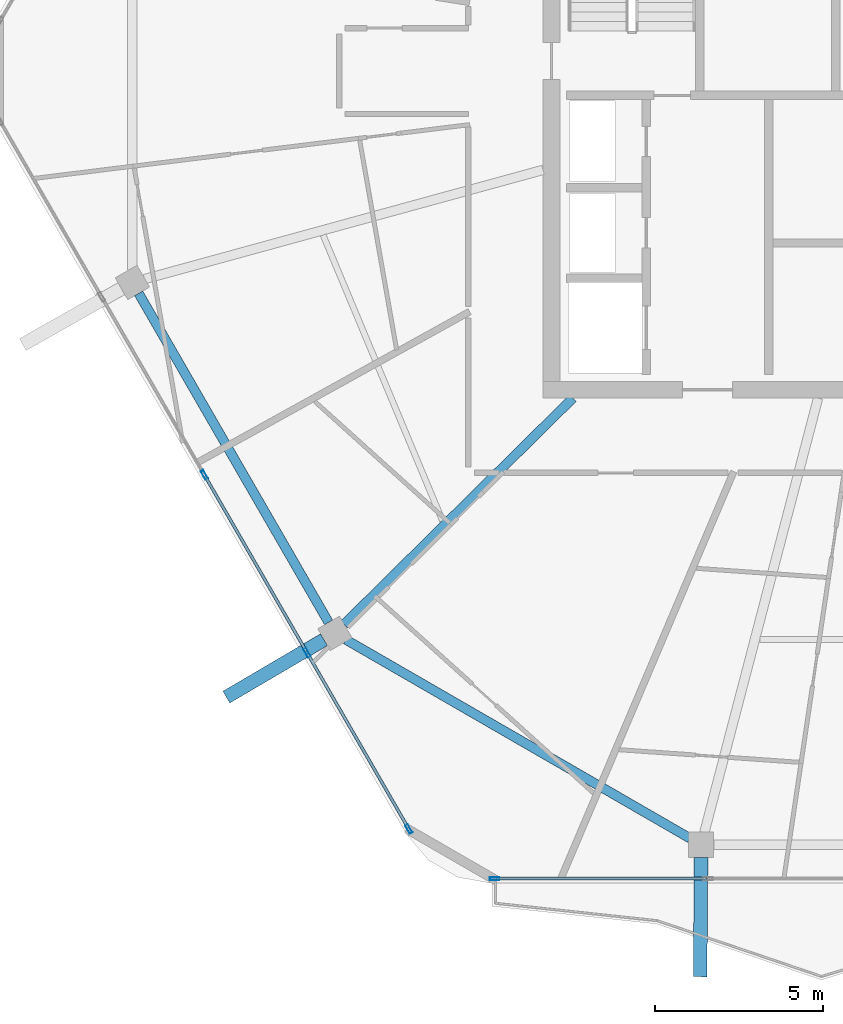
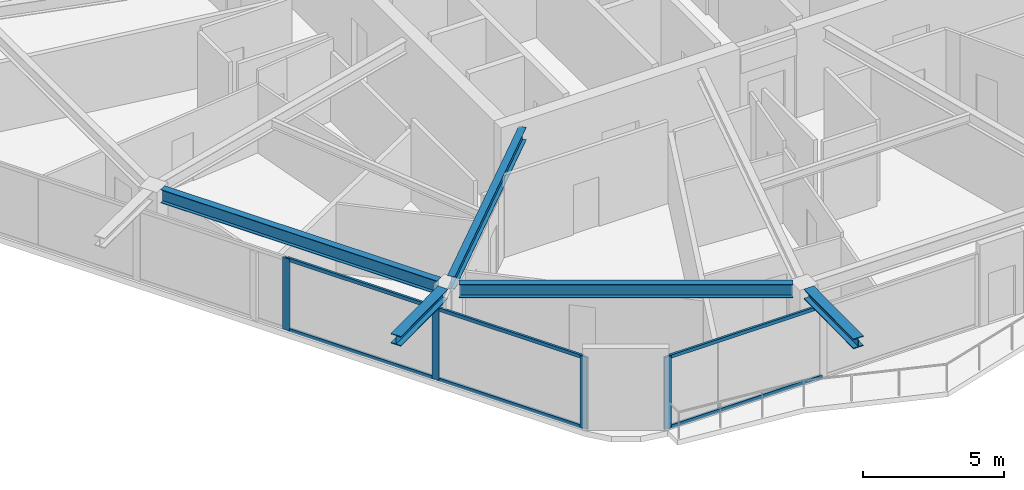
# One storey, part 2 of 21: 10 members, 5 beams, 2 elements without a shape of their own.
"""IFC4 building model written with IfcOpenShell, lengths in metres."""

from ifc_helpers import new_model, si_unit, direction, frame, origin, origin_2d, place, context, subcontext, project, spatial, hollow_rectangle, i_section, extrude, material, material_profile, profile_set, type_object, element, aggregate, save


model = new_model("IFC4")

# Units and contexts
model_context = context("Model", 3, precision=1e-05, world=origin(), true_north=direction((0.0, 1.0)))
body_context = subcontext(model_context, "Body", "Model", "MODEL_VIEW")
ifc_project = project(units=[si_unit("LENGTHUNIT", "METRE"), si_unit("AREAUNIT", "SQUARE_METRE"), si_unit("VOLUMEUNIT", "CUBIC_METRE"), si_unit("PLANEANGLEUNIT", "RADIAN"), si_unit("MASSUNIT", "GRAM", prefix="KILO")], contexts=[model_context])

# Site, building, storey
site_placement = place(None, origin())
site = spatial("IfcSite", under=ifc_project, at=site_placement, CompositionType="ELEMENT")
building_placement = place(site_placement, origin())
building = spatial("IfcBuilding", under=site, at=building_placement, Name="Zuhravey Tower", CompositionType="ELEMENT")
storey_placement = place(building_placement, frame((0.0, 0.0, 334.800048828125)))
storey = spatial("IfcBuildingStorey", under=building, at=storey_placement, Name="L85", CompositionType="ELEMENT", Elevation=334.800048828125)

# Curtain wall, member
ifc_material_1 = material(Name="Thermally broken anodised aluminium", Category="aluminium")
curtain_wall_type = type_object("IfcCurtainWallType", Name="Zone 3-4 High-Rise Curtain Wall CW4", PredefinedType="NOTDEFINED", material=ifc_material_1)
curtain_wall_1_placement = place(storey_placement, origin())
curtain_wall_1 = element("IfcCurtainWall", 1, at=curtain_wall_1_placement, inside=storey, type_object=curtain_wall_type, Name="L85 CW4 CW-L85-F5-2", PredefinedType="NOTDEFINED")
ifc_material_2 = material(Name="Anodised aluminium", Category="aluminium")
ifc_material_profile_1 = material_profile(ifc_material_2, hollow_rectangle(XDim=0.090087890625, YDim=0.284912109375, WallThickness=0.0048828125, at=origin_2d()), Name="ALU-RHS-90x285x5")
ifc_profile_set_1 = profile_set([ifc_material_profile_1], Name="Anodised aluminium")
member_type_1 = type_object("IfcMemberType", Name="Curtain-Wall Mullion 90x180", PredefinedType="MULLION", material=ifc_profile_set_1)
member_1_placement = place(storey_placement, frame((23.8056640625, 7.92578125, 0.0), z_axis=(0.0, 0.0, 1.0), x_axis=(0.0, -1.0, 0.0)))
member_1 = element("IfcMember", 2, at=member_1_placement, type_object=member_type_1, Name="CW4 mullion 3", PredefinedType="MULLION", context=body_context, shape_type="SweptSolid", body=[
    extrude(hollow_rectangle(XDim=0.090087890625, YDim=0.284912109375, WallThickness=0.0048828125, at=origin_2d()), origin(), (0.0, 0.0, 1.0), 3.1220703125),
])

# Curtain wall, members
curtain_wall_2_placement = place(storey_placement, origin())
curtain_wall_2 = element("IfcCurtainWall", 3, at=curtain_wall_2_placement, inside=storey, type_object=curtain_wall_type, Name="L85 CW4 CW-L85-F4-1", PredefinedType="NOTDEFINED")
member_2_placement = place(storey_placement, frame((21.248291015625, 9.40234375, 0.0), z_axis=(0.0, 0.0, 1.0), x_axis=(-0.866025511541, -0.49999981336, 0.0)))
member_2 = element("IfcMember", 4, at=member_2_placement, type_object=member_type_1, Name="CW4 mullion 1", PredefinedType="MULLION", context=body_context, shape_type="SweptSolid", body=[
    extrude(hollow_rectangle(XDim=0.090087890625, YDim=0.284912109375, WallThickness=0.0048828125, at=origin_2d()), origin(), (0.0, 0.0, 1.0), 3.1220703125),
])
member_3_placement = place(storey_placement, frame((18.211181640625, 14.6630859375, 0.0), z_axis=(0.0, 0.0, 1.0), x_axis=(-0.866025511541, -0.49999981336, 0.0)))
member_3 = element("IfcMember", 5, at=member_3_placement, type_object=member_type_1, Name="CW4 mullion 2", PredefinedType="MULLION", context=body_context, shape_type="SweptSolid", body=[
    extrude(hollow_rectangle(XDim=0.090087890625, YDim=0.284912109375, WallThickness=0.0048828125, at=origin_2d()), origin(), (0.0, 0.0, 1.0), 3.1220703125),
])
member_4_placement = place(storey_placement, frame((15.1513671875, 19.962890625, 0.0), z_axis=(0.0, 0.0, 1.0), x_axis=(-0.866025511541, -0.49999981336, 0.0)))
member_4 = element("IfcMember", 6, at=member_4_placement, type_object=member_type_1, Name="CW4 mullion 3", PredefinedType="MULLION", context=body_context, shape_type="SweptSolid", body=[
    extrude(hollow_rectangle(XDim=0.090087890625, YDim=0.284912109375, WallThickness=0.0048828125, at=origin_2d()), origin(), (0.0, 0.0, 1.0), 3.1220703125),
])

# Member
ifc_material_profile_2 = material_profile(ifc_material_2, hollow_rectangle(XDim=0.090087890625, YDim=0.14990234375, WallThickness=0.0048828125, at=origin_2d()), Name="ALU-RHS-90x150x5")
ifc_profile_set_2 = profile_set([ifc_material_profile_2], Name="Anodised aluminium")
member_type_2 = type_object("IfcMemberType", Name="Curtain-Wall Transom 90x150", PredefinedType="USERDEFINED", material=ifc_profile_set_2)
member_5_placement = place(storey_placement, frame((30.116455078125, 7.92578125, 0.044921875), z_axis=(-1.0, 0.0, 0.0), x_axis=(0.0, -1.0, 0.0)))
member_5 = element("IfcMember", 7, at=member_5_placement, type_object=member_type_2, Name="CW4 transom 2.1", ObjectType="TRANSOM", PredefinedType="USERDEFINED", context=body_context, shape_type="SweptSolid", body=[
    extrude(hollow_rectangle(XDim=0.090087890625, YDim=0.14990234375, WallThickness=0.0048828125, at=origin_2d()), origin(), (0.0, 0.0, 1.0), 6.265869140625),
])

member_6_placement = place(storey_placement, frame((30.116455078125, 7.92578125, 3.076904296875), z_axis=(-1.0, 0.0, 0.0), x_axis=(0.0, -1.0, 0.0)))
member_6 = element("IfcMember", 8, at=member_6_placement, type_object=member_type_2, Name="CW4 transom 2.2", ObjectType="TRANSOM", PredefinedType="USERDEFINED", context=body_context, shape_type="SweptSolid", body=[
    extrude(hollow_rectangle(XDim=0.090087890625, YDim=0.14990234375, WallThickness=0.0048828125, at=origin_2d()), origin(), (0.0, 0.0, 1.0), 6.265869140625),
])

aggregate(curtain_wall_1, [member_1, member_5, member_6])

member_7_placement = place(storey_placement, frame((21.225830078125, 9.44140625, 0.044921875), z_axis=(-0.499982594807, 0.866035452444, 0.0), x_axis=(-0.866035452444, -0.499982594807, 0.0)))
member_7 = element("IfcMember", 9, at=member_7_placement, type_object=member_type_2, Name="CW4 transom 1.1", ObjectType="TRANSOM", PredefinedType="USERDEFINED", context=body_context, shape_type="SweptSolid", body=[
    extrude(hollow_rectangle(XDim=0.090087890625, YDim=0.14990234375, WallThickness=0.0048828125, at=origin_2d()), origin(), (0.0, 0.0, 1.0), 5.984619140625),
])

member_8_placement = place(storey_placement, frame((21.225830078125, 9.44140625, 3.076904296875), z_axis=(-0.499982594807, 0.866035452444, 0.0), x_axis=(-0.866035452444, -0.499982594807, 0.0)))
member_8 = element("IfcMember", 10, at=member_8_placement, type_object=member_type_2, Name="CW4 transom 1.2", ObjectType="TRANSOM", PredefinedType="USERDEFINED", context=body_context, shape_type="SweptSolid", body=[
    extrude(hollow_rectangle(XDim=0.090087890625, YDim=0.14990234375, WallThickness=0.0048828125, at=origin_2d()), origin(), (0.0, 0.0, 1.0), 5.984619140625),
])

member_9_placement = place(storey_placement, frame((18.1884765625, 14.7021484375, 0.044921875), z_axis=(-0.499971305196, 0.866041970103, 0.0), x_axis=(-0.866041970103, -0.499971305196, 0.0)))
member_9 = element("IfcMember", 11, at=member_9_placement, type_object=member_type_2, Name="CW4 transom 2.1", ObjectType="TRANSOM", PredefinedType="USERDEFINED", context=body_context, shape_type="SweptSolid", body=[
    extrude(hollow_rectangle(XDim=0.090087890625, YDim=0.14990234375, WallThickness=0.0048828125, at=origin_2d()), origin(), (0.0, 0.0, 1.0), 6.029541015625),
])

member_10_placement = place(storey_placement, frame((18.1884765625, 14.7021484375, 3.076904296875), z_axis=(-0.499971305196, 0.866041970103, 0.0), x_axis=(-0.866041970103, -0.499971305196, 0.0)))
member_10 = element("IfcMember", 12, at=member_10_placement, type_object=member_type_2, Name="CW4 transom 2.2", ObjectType="TRANSOM", PredefinedType="USERDEFINED", context=body_context, shape_type="SweptSolid", body=[
    extrude(hollow_rectangle(XDim=0.090087890625, YDim=0.14990234375, WallThickness=0.0048828125, at=origin_2d()), origin(), (0.0, 0.0, 1.0), 6.029541015625),
])

aggregate(curtain_wall_2, [member_2, member_3, member_4, member_7, member_8, member_9, member_10])

# Beams
ifc_material_3 = material(Name="Steel SM460", Category="steel")
ifc_material_profile_3 = material_profile(ifc_material_3, i_section(OverallWidth=0.406982421875, OverallDepth=0.427978515625, WebThickness=0.02001953125, FlangeThickness=0.034912109375, at=origin_2d()), Name="H-428x407x20x35")
ifc_profile_set_3 = profile_set([ifc_material_profile_3], Name="Steel SM460")
beam_type_1 = type_object("IfcBeamType", Name="Exoskeleton Node Tie Beam H428x407", PredefinedType="BEAM", material=ifc_profile_set_3)
beam_1_placement = place(storey_placement, frame((18.718505859375, 15.04638671875, 3.3359375), z_axis=(-0.862172060963, -0.506615571509, 0.0), x_axis=(0.506615571509, -0.862172060963, 0.0)))
element("IfcBeam", 13, at=beam_1_placement, inside=storey, type_object=beam_type_1, Name="L85 Exoskeleton Node Tie NT1-08", PredefinedType="BEAM", context=body_context, shape_type="SweptSolid", body=[
    extrude(i_section(OverallWidth=0.406982421875, OverallDepth=0.427978515625, WebThickness=0.02001953125, FlangeThickness=0.034912109375, at=origin_2d()), origin(), (0.0, 0.0, 1.0), 3.376220703125),
])
beam_2_placement = place(storey_placement, frame((29.95849609375, 8.556884765625, 3.3359375), z_axis=(-0.007277527838, -0.999973518444, 0.0), x_axis=(0.999973518444, -0.007277527838, 0.0)))
element("IfcBeam", 14, at=beam_2_placement, inside=storey, type_object=beam_type_1, Name="L85 Exoskeleton Node Tie NT1-09", PredefinedType="BEAM", context=body_context, shape_type="SweptSolid", body=[
    extrude(i_section(OverallWidth=0.406982421875, OverallDepth=0.427978515625, WebThickness=0.02001953125, FlangeThickness=0.034912109375, at=origin_2d()), origin(), (0.0, 0.0, 1.0), 3.555908203125),
])
ifc_material_4 = material(Name="Steel SM355", Category="steel")
ifc_material_profile_4 = material_profile(ifc_material_4, i_section(OverallWidth=0.280029296875, OverallDepth=0.580078125, WebThickness=0.011962890625, FlangeThickness=0.01904296875, at=origin_2d()), Name="H-580x280x12x19")
ifc_profile_set_4 = profile_set([ifc_material_profile_4], Name="Steel SM355")
beam_type_2 = type_object("IfcBeamType", Name="Perimeter Ring Beam H580x280", PredefinedType="BEAM", material=ifc_profile_set_4)
beam_3_placement = place(storey_placement, frame((13.195556640625, 25.370361328125, 3.260009765625), z_axis=(0.499993743963, -0.866029015679, 0.0), x_axis=(0.866029015679, 0.499993743963, 0.0)))
element("IfcBeam", 15, at=beam_3_placement, inside=storey, type_object=beam_type_2, Name="L85 PB4 BM-L85-PB-07", PredefinedType="BEAM", context=body_context, shape_type="SweptSolid", body=[
    extrude(i_section(OverallWidth=0.280029296875, OverallDepth=0.580078125, WebThickness=0.011962890625, FlangeThickness=0.01904296875, at=origin_2d()), origin(), (0.0, 0.0, 1.0), 11.321533203125),
])
beam_4_placement = place(storey_placement, frame((19.37255859375, 15.04931640625, 3.260009765625), z_axis=(0.866030838723, -0.499990586292, 0.0), x_axis=(0.499990586292, 0.866030838723, 0.0)))
element("IfcBeam", 16, at=beam_4_placement, inside=storey, type_object=beam_type_2, Name="L85 PB4 BM-L85-PB-08", PredefinedType="BEAM", context=body_context, shape_type="SweptSolid", body=[
    extrude(i_section(OverallWidth=0.280029296875, OverallDepth=0.580078125, WebThickness=0.011962890625, FlangeThickness=0.01904296875, at=origin_2d()), origin(), (0.0, 0.0, 1.0), 11.848876953125),
])
ifc_material_profile_5 = material_profile(ifc_material_4, i_section(OverallWidth=0.280029296875, OverallDepth=0.550048828125, WebThickness=0.010986328125, FlangeThickness=0.01806640625, at=origin_2d()), Name="H-550x280x11x18")
ifc_profile_set_5 = profile_set([ifc_material_profile_5], Name="Steel SM355")
beam_type_3 = type_object("IfcBeamType", Name="Radial Primary Girder H550x280", PredefinedType="BEAM", material=ifc_profile_set_5)
beam_5_placement = place(storey_placement, frame((26.134765625, 22.2470703125, 3.27490234375), z_axis=(-0.711142578304, -0.703047817238, 0.0), x_axis=(0.703047817238, -0.711142578304, 0.0)))
element("IfcBeam", 17, at=beam_5_placement, inside=storey, type_object=beam_type_3, Name="L85 RG4 BM-L85-RAD-08", PredefinedType="BEAM", context=body_context, shape_type="SweptSolid", body=[
    extrude(i_section(OverallWidth=0.280029296875, OverallDepth=0.550048828125, WebThickness=0.010986328125, FlangeThickness=0.01806640625, at=origin_2d()), origin(), (0.0, 0.0, 1.0), 9.591064453125),
])

save(model, "model.ifc")
